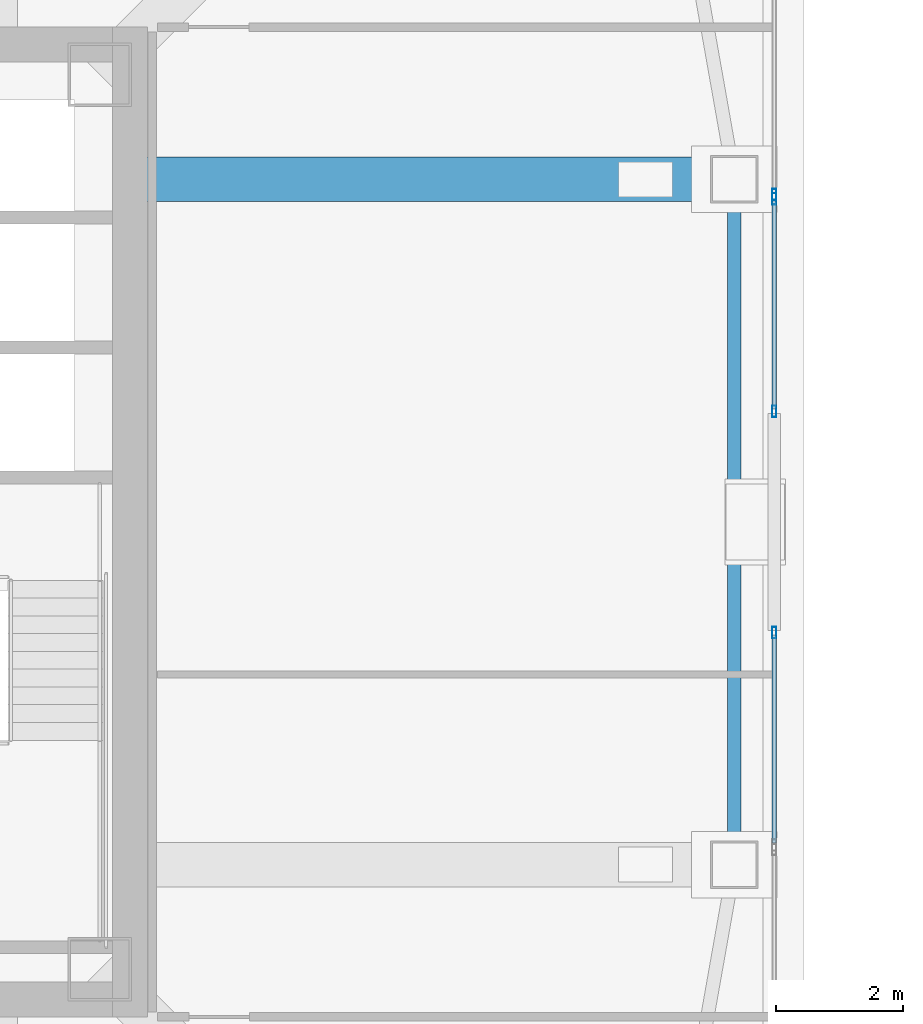
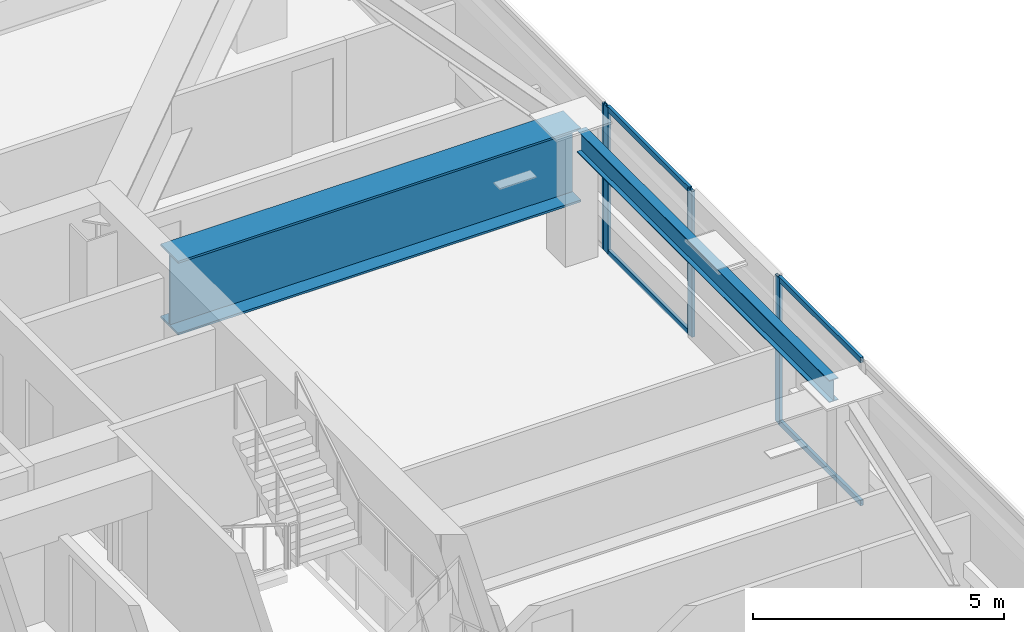
# One storey, part 10 of 42: 8 members, 2 beams, 3 elements without a shape of their own.
"""IFC4 building model written with IfcOpenShell, lengths in metres."""

import ifcopenshell
import ifcopenshell.guid

model = None  # the IFC model being written
_history = None  # IfcOwnerHistory: only IFC2X3 demands one
_inside = {}  # id of a spatial element -> (the spatial element, [elements in it])
_under = {}  # id of a project, library or spatial element -> (it, [spatial elements below it])
_declared = {}  # id of a project -> (the project, [libraries it declares])
_typed = {}  # id of a type object -> (the type object, [elements of that type])
_made_of = {}  # id of a material, layer set ... -> (it, [elements and type objects made of it])


def new_model(schema):
    """Start an empty IFC model of exactly this schema.

    Asked for "IFC4X3", IfcOpenShell would pick the latest addendum, in which some entities
    have other attributes; the version numbers below select the first issue.
    IFC2X3 requires an IfcOwnerHistory on every rooted entity: one is made here for all.
    """
    global model, _history
    if schema == "IFC4X3":
        model = ifcopenshell.file(schema_version=(4, 3, 0, 0))
    else:
        model = ifcopenshell.file(schema=schema)
    _inside.clear()
    _under.clear()
    _declared.clear()
    _typed.clear()
    _made_of.clear()
    _history = None
    if model.schema == "IFC2X3":
        org = make("IfcOrganization", Name="unknown")
        user = make(
            "IfcPersonAndOrganization",
            ThePerson=make("IfcPerson", FamilyName="unknown"),
            TheOrganization=org,
        )
        app = make(
            "IfcApplication",
            ApplicationDeveloper=org,
            Version="unknown",
            ApplicationFullName="unknown",
            ApplicationIdentifier="unknown",
        )
        _history = make(
            "IfcOwnerHistory",
            OwningUser=user,
            OwningApplication=app,
            ChangeAction="ADDED",
            CreationDate=0,
        )
    return model


def make(cls, **values):
    """One entity of the class cls with the attributes given. An attribute that is None is left unset."""
    return model.create_entity(
        cls, **{name: value for name, value in values.items() if value is not None}
    )


def rooted(cls, **values):
    """An entity with a GlobalId (a new one), such as an element, a storey or a relation."""
    return make(cls, GlobalId=ifcopenshell.guid.new(), OwnerHistory=_history, **values)


def si_unit(unit_type, name, prefix=None):
    """IfcSIUnit, for example si_unit("LENGTHUNIT", "METRE", prefix="MILLI")."""
    return make("IfcSIUnit", UnitType=unit_type, Prefix=prefix, Name=name)


def assignment(units):
    """IfcUnitAssignment: the units of a project."""
    return None if units is None else make("IfcUnitAssignment", Units=units)


def point(xyz):
    """IfcCartesianPoint."""
    return None if xyz is None else make("IfcCartesianPoint", Coordinates=xyz)


def direction(xyz):
    """IfcDirection."""
    return None if xyz is None else make("IfcDirection", DirectionRatios=xyz)


def frame(location, z_axis=None, x_axis=None):
    """IfcAxis2Placement3D, a coordinate frame: its origin and axes. An axis left out is left unset."""
    return make(
        "IfcAxis2Placement3D",
        Location=point(location),
        Axis=direction(z_axis),
        RefDirection=direction(x_axis),
    )


def frame_2d(location, x_axis=None):
    """IfcAxis2Placement2D, a coordinate frame in the plane: its origin and x axis."""
    return make(
        "IfcAxis2Placement2D", Location=point(location), RefDirection=direction(x_axis)
    )


def origin():
    """The frame at (0, 0, 0) with its axes left unset."""
    return frame((0.0, 0.0, 0.0))


def origin_2d():
    """The frame at (0, 0) in the plane with its x axis left unset."""
    return frame_2d((0.0, 0.0))


def place(relative_to, where):
    """IfcLocalPlacement: puts the frame where relative to a parent placement (None: the world)."""
    return make(
        "IfcLocalPlacement", PlacementRelTo=relative_to, RelativePlacement=where
    )


def context(
    kind, dimensions, precision=None, world=None, true_north=None, identifier=None
):
    """IfcGeometricRepresentationContext, for example the 3D "Model" context."""
    return make(
        "IfcGeometricRepresentationContext",
        ContextIdentifier=identifier,
        ContextType=kind,
        CoordinateSpaceDimension=dimensions,
        Precision=precision,
        WorldCoordinateSystem=world,
        TrueNorth=true_north,
    )


def subcontext(parent, identifier, kind, view, scale=None):
    """IfcGeometricRepresentationSubContext, for example "Body" below "Model"."""
    return make(
        "IfcGeometricRepresentationSubContext",
        ContextIdentifier=identifier,
        ContextType=kind,
        ParentContext=parent,
        TargetScale=scale,
        TargetView=view,
    )


def project(units=None, contexts=None):
    """IfcProject with its units and contexts."""
    return rooted(
        "IfcProject",
        Name="project",
        RepresentationContexts=contexts,
        UnitsInContext=assignment(units),
    )


def spatial(cls, under=None, at=None, **own):
    """A site, building, storey or space (cls), placed at a placement, below another one or the project."""
    s = rooted(cls, ObjectPlacement=at, **own)
    if under is not None:
        _under.setdefault(under.id(), (under, []))[1].append(s)
    return s


def profile(cls, at=None, kind="AREA", **sizes):
    """A parametric profile (cls). Its sizes go by their IFC names, for example OverallWidth=200.0."""
    return make(cls, ProfileType=kind, Position=at, **sizes)


def hollow_rectangle(**sizes):
    """IfcRectangleHollowProfileDef."""
    return profile("IfcRectangleHollowProfileDef", **sizes)


def i_section(**sizes):
    """IfcIShapeProfileDef."""
    return profile("IfcIShapeProfileDef", **sizes)


def extrude(swept, where, along, depth):
    """IfcExtrudedAreaSolid: the profile swept, set in the frame where, extruded along a direction by depth."""
    return make(
        "IfcExtrudedAreaSolid",
        SweptArea=swept,
        Position=where,
        ExtrudedDirection=direction(along),
        Depth=depth,
    )


def shape(context_of_items, identifier, shape_type, items):
    """IfcShapeRepresentation: the items that make up one representation, for example the "Body"."""
    return make(
        "IfcShapeRepresentation",
        ContextOfItems=context_of_items,
        RepresentationIdentifier=identifier,
        RepresentationType=shape_type,
        Items=items,
    )


def material(Name=None, Category=None):
    """IfcMaterial."""
    return make("IfcMaterial", Name=Name, Category=Category)


def material_profile(
    of_material, cross_section, Name=None, Category=None, Priority=None
):
    """IfcMaterialProfile: a cross section and its material."""
    return make(
        "IfcMaterialProfile",
        Name=Name,
        Material=of_material,
        Profile=cross_section,
        Priority=Priority,
        Category=Category,
    )


def profile_set(profiles, Name=None, composite=None):
    """IfcMaterialProfileSet."""
    return make(
        "IfcMaterialProfileSet",
        Name=Name,
        MaterialProfiles=profiles,
        CompositeProfile=composite,
    )


def made_of(thing, what):
    """Note that an element or type object is made of a material, layer set ...; save() writes the relation."""
    if what is not None:
        _made_of.setdefault(what.id(), (what, []))[1].append(thing)
    return thing


def type_object(cls, material=None, **own):
    """A type object (cls), such as IfcWallType, which elements share."""
    return made_of(rooted(cls, **own), material)


def element(
    cls,
    number,
    at=None,
    inside=None,
    cuts=None,
    type_object=None,
    material=None,
    context=None,
    identifier="Body",
    shape_type=None,
    held_by="IfcProductDefinitionShape",
    body=None,
    shapes=None,
    **own,
):
    """One element of the class cls, such as IfcWall. Its Tag is "e" and its number.

    at: its placement. inside: the storey or other place that contains it. cuts: it is an
    opening in that element (IfcRelVoidsElement). A single representation is given by context,
    identifier, shape_type and body (its items); several are given by shapes. held_by: the class
    of the entity that holds the representations. save() writes the other relations.
    """
    e = rooted(cls, Tag="e%d" % number, ObjectPlacement=at, **own)
    if body is not None:
        shapes = [shape(context, identifier, shape_type, body)]
    if shapes is not None:
        e.Representation = make(held_by, Representations=shapes)
    if inside is not None:
        _inside.setdefault(inside.id(), (inside, []))[1].append(e)
    if cuts is not None:
        rooted(
            "IfcRelVoidsElement", RelatingBuildingElement=cuts, RelatedOpeningElement=e
        )
    if type_object is not None:
        _typed.setdefault(type_object.id(), (type_object, []))[1].append(e)
    return made_of(e, material)


def aggregate(whole, parts):
    """IfcRelAggregates: a whole, such as a stair, and the parts it consists of."""
    return rooted("IfcRelAggregates", RelatingObject=whole, RelatedObjects=parts)


def save(model, path):
    """Write the relations noted so far, then the file.

    IfcRelAggregates (storeys below a building ...), IfcRelContainedInSpatialStructure (elements
    in a storey), IfcRelDefinesByType, IfcRelAssociatesMaterial and IfcRelDeclares: one each for
    every whole, place, type object, material and project.
    """
    for whole, parts in _under.values():
        aggregate(whole, parts)
    for where, things in _inside.values():
        rooted(
            "IfcRelContainedInSpatialStructure",
            RelatedElements=things,
            RelatingStructure=where,
        )
    for kind, things in _typed.values():
        rooted("IfcRelDefinesByType", RelatedObjects=things, RelatingType=kind)
    for what, things in _made_of.values():
        rooted("IfcRelAssociatesMaterial", RelatedObjects=things, RelatingMaterial=what)
    for by, libraries in _declared.values():
        rooted("IfcRelDeclares", RelatingContext=by, RelatedDefinitions=libraries)
    model.write(path)


model = new_model("IFC4")

# Units and contexts
model_context = context("Model", 3, precision=1e-05, world=origin(), true_north=direction((0.0, 1.0)))
body_context = subcontext(model_context, "Body", "Model", "MODEL_VIEW")
ifc_project = project(units=[si_unit("LENGTHUNIT", "METRE"), si_unit("AREAUNIT", "SQUARE_METRE"), si_unit("VOLUMEUNIT", "CUBIC_METRE"), si_unit("PLANEANGLEUNIT", "RADIAN"), si_unit("MASSUNIT", "GRAM", prefix="KILO")], contexts=[model_context])

# Site, building, storey
site_placement = place(None, origin())
site = spatial("IfcSite", under=ifc_project, at=site_placement, CompositionType="ELEMENT")
building_placement = place(site_placement, origin())
building = spatial("IfcBuilding", under=site, at=building_placement, Name="Tashvorn Skyway Center", CompositionType="ELEMENT")
storey_placement = place(building_placement, frame((0.0, 0.0, 196.050048828125)))
storey = spatial("IfcBuildingStorey", under=building, at=storey_placement, Name="L53", CompositionType="ELEMENT", Elevation=196.050048828125)

# Beams
ifc_material_1 = material(Name="Steel ASTM A572 Grade 50", Category="steel")
ifc_material_profile_1 = material_profile(ifc_material_1, i_section(OverallWidth=0.699951171875, OverallDepth=1.800048828125, WebThickness=0.031982421875, FlangeThickness=0.050048828125, at=origin_2d()), Name="PG1800x700")
ifc_profile_set_1 = profile_set([ifc_material_profile_1], Name="Steel ASTM A572 Grade 50")
beam_type_1 = type_object("IfcBeamType", Name="BM-BEAM-PG1800x700", PredefinedType="BEAM", material=ifc_profile_set_1)
beam_1_placement = place(storey_placement, frame((59.050048828125, 37.39990234375, 2.349853515625), z_axis=(-1.0, 0.0, 0.0), x_axis=(0.0, -1.0, 0.0)))
element("IfcBeam", 1, at=beam_1_placement, inside=storey, type_object=beam_type_1, Name="Tower 1 L53 Setback Transfer Girder FC-E2", PredefinedType="BEAM", context=body_context, shape_type="SweptSolid", body=[
    extrude(i_section(OverallWidth=0.699951171875, OverallDepth=1.800048828125, WebThickness=0.031982421875, FlangeThickness=0.050048828125, at=origin_2d()), origin(), (0.0, 0.0, 1.0), 9.27001953125),
])
ifc_material_2 = material(Name="Steel ASTM A992 Grade 50", Category="steel")
ifc_material_profile_2 = material_profile(ifc_material_2, i_section(OverallWidth=0.2109375, OverallDepth=0.5390625, WebThickness=0.01171875, FlangeThickness=0.018798828125, at=origin_2d()), Name="W21X73")
ifc_profile_set_2 = profile_set([ifc_material_profile_2], Name="Steel ASTM A992 Grade 50")
beam_type_2 = type_object("IfcBeamType", Name="BM-SPANDREL-W21X73", PredefinedType="SPANDREL", material=ifc_profile_set_2)
beam_2_placement = place(storey_placement, frame((59.050048828125, 26.969970703125, 2.98046875), z_axis=(0.0, 1.0, 0.0), x_axis=(-1.0, 0.0, 0.0)))
element("IfcBeam", 2, at=beam_2_placement, inside=storey, type_object=beam_type_2, Name="Tower 1 L53 Spandrel Beam 05", PredefinedType="SPANDREL", context=body_context, shape_type="SweptSolid", body=[
    extrude(i_section(OverallWidth=0.2109375, OverallDepth=0.5390625, WebThickness=0.01171875, FlangeThickness=0.018798828125, at=origin_2d()), origin(), (0.0, 0.0, 1.0), 10.06005859375),
])

# Curtain wall, member
ifc_material_3 = material(Name="Thermally broken bronze-anodized aluminium 6063-T6", Category="aluminium")
curtain_wall_type = type_object("IfcCurtainWallType", Name="CW-CW-Z4", PredefinedType="NOTDEFINED", material=ifc_material_3)
curtain_wall_1_placement = place(storey_placement, origin())
curtain_wall_1 = element("IfcCurtainWall", 3, at=curtain_wall_1_placement, inside=storey, type_object=curtain_wall_type, Name="Tower 1 L53 East Unitised Curtain Wall Glazing Group 1", PredefinedType="NOTDEFINED")
ifc_material_profile_3 = material_profile(ifc_material_3, hollow_rectangle(XDim=0.070068359375, YDim=0.179931640625, WallThickness=0.00390625, at=origin_2d()), Name="ALU-MULL-70x180")
ifc_profile_set_3 = profile_set([ifc_material_profile_3], Name="Thermally broken bronze-anodized aluminium 6063-T6")
member_type_1 = type_object("IfcMemberType", Name="CWM-CW-Z4", PredefinedType="MULLION", material=ifc_profile_set_3)
member_1_placement = place(storey_placement, frame((59.679931640625, 37.16162109375, 0.0), z_axis=(0.0, 0.0, 1.0), x_axis=(1.0, 0.0, 0.0)))
member_1 = element("IfcMember", 4, at=member_1_placement, type_object=member_type_1, Name="CW-Z4 mullion 2", PredefinedType="MULLION", context=body_context, shape_type="SweptSolid", body=[
    extrude(hollow_rectangle(XDim=0.070068359375, YDim=0.179931640625, WallThickness=0.00390625, at=origin_2d()), origin(), (0.0, 0.0, 1.0), 3.550048828125),
])
aggregate(curtain_wall_1, [member_1])

# Curtain wall, members
curtain_wall_2_placement = place(storey_placement, origin())
curtain_wall_2 = element("IfcCurtainWall", 5, at=curtain_wall_2_placement, inside=storey, type_object=curtain_wall_type, Name="Tower 1 L53 East Unitised Curtain Wall Glazing Group 2", PredefinedType="NOTDEFINED")
member_2_placement = place(storey_placement, frame((59.679931640625, 37.091796875, 0.0), z_axis=(0.0, 0.0, 1.0), x_axis=(1.0, 0.0, 0.0)))
member_2 = element("IfcMember", 6, at=member_2_placement, type_object=member_type_1, Name="CW-Z4 mullion 1", PredefinedType="MULLION", context=body_context, shape_type="SweptSolid", body=[
    extrude(hollow_rectangle(XDim=0.070068359375, YDim=0.179931640625, WallThickness=0.00390625, at=origin_2d()), origin(), (0.0, 0.0, 1.0), 3.550048828125),
])
member_3_placement = place(storey_placement, frame((59.679931640625, 33.743896484375, 0.0), z_axis=(0.0, 0.0, 1.0), x_axis=(1.0, 0.0, 0.0)))
member_3 = element("IfcMember", 7, at=member_3_placement, type_object=member_type_1, Name="CW-Z4 mullion 2", PredefinedType="MULLION", context=body_context, shape_type="SweptSolid", body=[
    extrude(hollow_rectangle(XDim=0.070068359375, YDim=0.179931640625, WallThickness=0.00390625, at=origin_2d()), origin(), (0.0, 0.0, 1.0), 3.550048828125),
])

# Curtain wall, member
curtain_wall_3_placement = place(storey_placement, origin())
curtain_wall_3 = element("IfcCurtainWall", 8, at=curtain_wall_3_placement, inside=storey, type_object=curtain_wall_type, Name="Tower 1 L53 East Unitised Curtain Wall Glazing Group 3", PredefinedType="NOTDEFINED")
member_4_placement = place(storey_placement, frame((59.679931640625, 30.256103515625, 0.0), z_axis=(0.0, 0.0, 1.0), x_axis=(1.0, 0.0, 0.0)))
member_4 = element("IfcMember", 9, at=member_4_placement, type_object=member_type_1, Name="CW-Z4 mullion 1", PredefinedType="MULLION", context=body_context, shape_type="SweptSolid", body=[
    extrude(hollow_rectangle(XDim=0.070068359375, YDim=0.179931640625, WallThickness=0.00390625, at=origin_2d()), origin(), (0.0, 0.0, 1.0), 3.550048828125),
])

# Member
ifc_material_profile_4 = material_profile(ifc_material_3, hollow_rectangle(XDim=0.070068359375, YDim=0.1298828125, WallThickness=0.00390625, at=origin_2d()), Name="ALU-TRAN-70x130")
ifc_profile_set_4 = profile_set([ifc_material_profile_4], Name="Thermally broken bronze-anodized aluminium 6063-T6")
member_type_2 = type_object("IfcMemberType", Name="CWT-CW-Z4", PredefinedType="USERDEFINED", material=ifc_profile_set_4)
member_5_placement = place(storey_placement, frame((59.679931640625, 37.056640625, 0.034912109375), z_axis=(0.0, -1.0, 0.0), x_axis=(1.0, 0.0, 0.0)))
member_5 = element("IfcMember", 10, at=member_5_placement, type_object=member_type_2, Name="CW-Z4 transom 1.1", ObjectType="TRANSOM", PredefinedType="USERDEFINED", context=body_context, shape_type="SweptSolid", body=[
    extrude(hollow_rectangle(XDim=0.070068359375, YDim=0.1298828125, WallThickness=0.00390625, at=origin_2d()), origin(), (0.0, 0.0, 1.0), 3.27783203125),
])

member_6_placement = place(storey_placement, frame((59.679931640625, 37.056640625, 3.514892578125), z_axis=(0.0, -1.0, 0.0), x_axis=(1.0, 0.0, 0.0)))
member_6 = element("IfcMember", 11, at=member_6_placement, type_object=member_type_2, Name="CW-Z4 transom 1.2", ObjectType="TRANSOM", PredefinedType="USERDEFINED", context=body_context, shape_type="SweptSolid", body=[
    extrude(hollow_rectangle(XDim=0.070068359375, YDim=0.1298828125, WallThickness=0.00390625, at=origin_2d()), origin(), (0.0, 0.0, 1.0), 3.27783203125),
])

aggregate(curtain_wall_2, [member_2, member_3, member_5, member_6])

member_7_placement = place(storey_placement, frame((59.679931640625, 30.22119140625, 0.034912109375), z_axis=(0.0, -1.0, 0.0), x_axis=(1.0, 0.0, 0.0)))
member_7 = element("IfcMember", 12, at=member_7_placement, type_object=member_type_2, Name="CW-Z4 transom 1.1", ObjectType="TRANSOM", PredefinedType="USERDEFINED", context=body_context, shape_type="SweptSolid", body=[
    extrude(hollow_rectangle(XDim=0.070068359375, YDim=0.1298828125, WallThickness=0.00390625, at=origin_2d()), origin(), (0.0, 0.0, 1.0), 3.27783203125),
])

member_8_placement = place(storey_placement, frame((59.679931640625, 30.22119140625, 3.514892578125), z_axis=(0.0, -1.0, 0.0), x_axis=(1.0, 0.0, 0.0)))
member_8 = element("IfcMember", 13, at=member_8_placement, type_object=member_type_2, Name="CW-Z4 transom 1.2", ObjectType="TRANSOM", PredefinedType="USERDEFINED", context=body_context, shape_type="SweptSolid", body=[
    extrude(hollow_rectangle(XDim=0.070068359375, YDim=0.1298828125, WallThickness=0.00390625, at=origin_2d()), origin(), (0.0, 0.0, 1.0), 3.27783203125),
])

aggregate(curtain_wall_3, [member_4, member_7, member_8])

save(model, "model.ifc")
